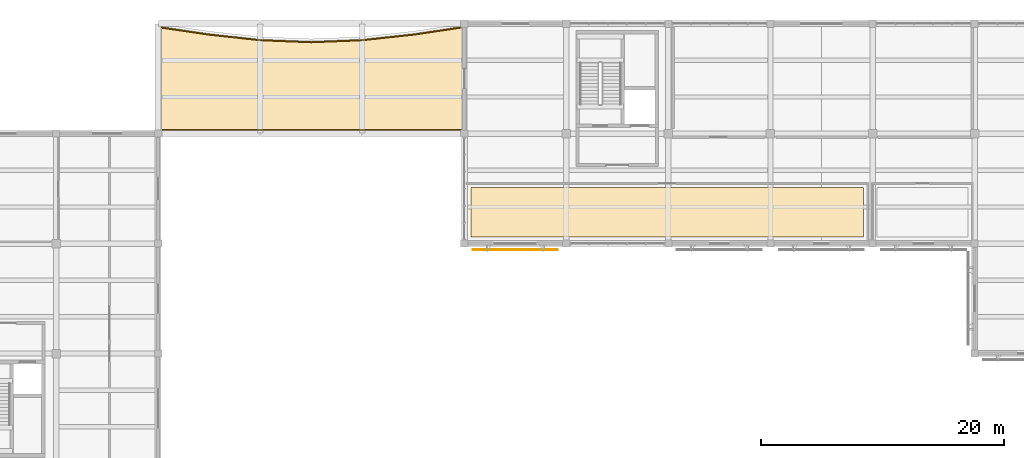
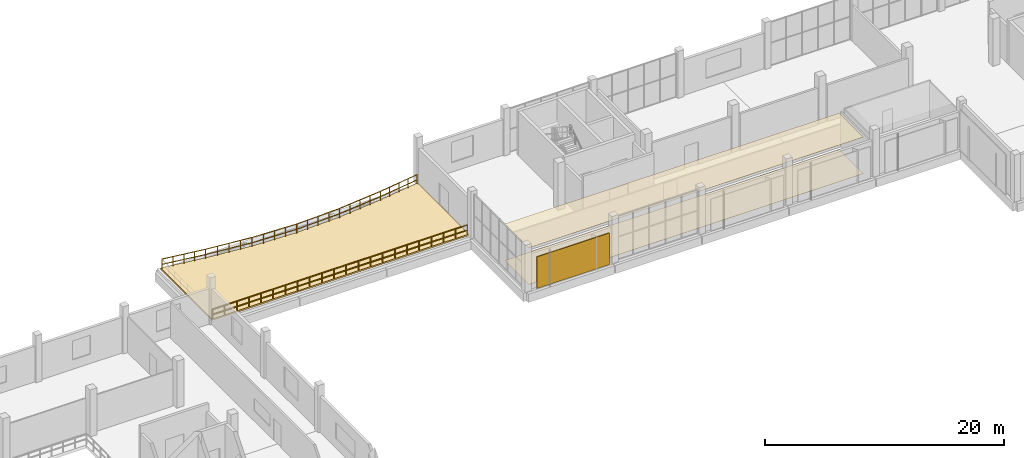
# One storey, part 76 of 80: 7 railings, 3 coverings, 1 shading device.
"""IFC4 building model written with IfcOpenShell, lengths in metres."""

import ifcopenshell
import ifcopenshell.guid

model = None  # the IFC model being written
_history = None  # IfcOwnerHistory: only IFC2X3 demands one
_inside = {}  # id of a spatial element -> (the spatial element, [elements in it])
_under = {}  # id of a project, library or spatial element -> (it, [spatial elements below it])
_declared = {}  # id of a project -> (the project, [libraries it declares])
_typed = {}  # id of a type object -> (the type object, [elements of that type])
_made_of = {}  # id of a material, layer set ... -> (it, [elements and type objects made of it])


def new_model(schema):
    """Start an empty IFC model of exactly this schema.

    Asked for "IFC4X3", IfcOpenShell would pick the latest addendum, in which some entities
    have other attributes; the version numbers below select the first issue.
    IFC2X3 requires an IfcOwnerHistory on every rooted entity: one is made here for all.
    """
    global model, _history
    if schema == "IFC4X3":
        model = ifcopenshell.file(schema_version=(4, 3, 0, 0))
    else:
        model = ifcopenshell.file(schema=schema)
    _inside.clear()
    _under.clear()
    _declared.clear()
    _typed.clear()
    _made_of.clear()
    _history = None
    if model.schema == "IFC2X3":
        org = make("IfcOrganization", Name="unknown")
        user = make(
            "IfcPersonAndOrganization",
            ThePerson=make("IfcPerson", FamilyName="unknown"),
            TheOrganization=org,
        )
        app = make(
            "IfcApplication",
            ApplicationDeveloper=org,
            Version="unknown",
            ApplicationFullName="unknown",
            ApplicationIdentifier="unknown",
        )
        _history = make(
            "IfcOwnerHistory",
            OwningUser=user,
            OwningApplication=app,
            ChangeAction="ADDED",
            CreationDate=0,
        )
    return model


def make(cls, **values):
    """One entity of the class cls with the attributes given. An attribute that is None is left unset."""
    return model.create_entity(
        cls, **{name: value for name, value in values.items() if value is not None}
    )


def rooted(cls, **values):
    """An entity with a GlobalId (a new one), such as an element, a storey or a relation."""
    return make(cls, GlobalId=ifcopenshell.guid.new(), OwnerHistory=_history, **values)


def si_unit(unit_type, name, prefix=None):
    """IfcSIUnit, for example si_unit("LENGTHUNIT", "METRE", prefix="MILLI")."""
    return make("IfcSIUnit", UnitType=unit_type, Prefix=prefix, Name=name)


def assignment(units):
    """IfcUnitAssignment: the units of a project."""
    return None if units is None else make("IfcUnitAssignment", Units=units)


def point(xyz):
    """IfcCartesianPoint."""
    return None if xyz is None else make("IfcCartesianPoint", Coordinates=xyz)


def direction(xyz):
    """IfcDirection."""
    return None if xyz is None else make("IfcDirection", DirectionRatios=xyz)


def frame(location, z_axis=None, x_axis=None):
    """IfcAxis2Placement3D, a coordinate frame: its origin and axes. An axis left out is left unset."""
    return make(
        "IfcAxis2Placement3D",
        Location=point(location),
        Axis=direction(z_axis),
        RefDirection=direction(x_axis),
    )


def frame_2d(location, x_axis=None):
    """IfcAxis2Placement2D, a coordinate frame in the plane: its origin and x axis."""
    return make(
        "IfcAxis2Placement2D", Location=point(location), RefDirection=direction(x_axis)
    )


def origin():
    """The frame at (0, 0, 0) with its axes left unset."""
    return frame((0.0, 0.0, 0.0))


def origin_2d():
    """The frame at (0, 0) in the plane with its x axis left unset."""
    return frame_2d((0.0, 0.0))


def place(relative_to, where):
    """IfcLocalPlacement: puts the frame where relative to a parent placement (None: the world)."""
    return make(
        "IfcLocalPlacement", PlacementRelTo=relative_to, RelativePlacement=where
    )


def context(
    kind, dimensions, precision=None, world=None, true_north=None, identifier=None
):
    """IfcGeometricRepresentationContext, for example the 3D "Model" context."""
    return make(
        "IfcGeometricRepresentationContext",
        ContextIdentifier=identifier,
        ContextType=kind,
        CoordinateSpaceDimension=dimensions,
        Precision=precision,
        WorldCoordinateSystem=world,
        TrueNorth=true_north,
    )


def subcontext(parent, identifier, kind, view, scale=None):
    """IfcGeometricRepresentationSubContext, for example "Body" below "Model"."""
    return make(
        "IfcGeometricRepresentationSubContext",
        ContextIdentifier=identifier,
        ContextType=kind,
        ParentContext=parent,
        TargetScale=scale,
        TargetView=view,
    )


def project(units=None, contexts=None):
    """IfcProject with its units and contexts."""
    return rooted(
        "IfcProject",
        Name="project",
        RepresentationContexts=contexts,
        UnitsInContext=assignment(units),
    )


def spatial(cls, under=None, at=None, **own):
    """A site, building, storey or space (cls), placed at a placement, below another one or the project."""
    s = rooted(cls, ObjectPlacement=at, **own)
    if under is not None:
        _under.setdefault(under.id(), (under, []))[1].append(s)
    return s


def polyline(points):
    """IfcPolyline through the points."""
    return make("IfcPolyline", Points=[point(p) for p in points])


def profile(cls, at=None, kind="AREA", **sizes):
    """A parametric profile (cls). Its sizes go by their IFC names, for example OverallWidth=200.0."""
    return make(cls, ProfileType=kind, Position=at, **sizes)


def rectangle(**sizes):
    """IfcRectangleProfileDef."""
    return profile("IfcRectangleProfileDef", **sizes)


def circle(**sizes):
    """IfcCircleProfileDef."""
    return profile("IfcCircleProfileDef", **sizes)


def outline(outer, holes=None, kind="AREA"):
    """IfcArbitraryClosedProfileDef: a profile drawn as a closed curve; with holes, ...WithVoids."""
    if holes is None:
        return make("IfcArbitraryClosedProfileDef", ProfileType=kind, OuterCurve=outer)
    return make(
        "IfcArbitraryProfileDefWithVoids",
        ProfileType=kind,
        OuterCurve=outer,
        InnerCurves=holes,
    )


def extrude(swept, where, along, depth):
    """IfcExtrudedAreaSolid: the profile swept, set in the frame where, extruded along a direction by depth."""
    return make(
        "IfcExtrudedAreaSolid",
        SweptArea=swept,
        Position=where,
        ExtrudedDirection=direction(along),
        Depth=depth,
    )


def shape(context_of_items, identifier, shape_type, items):
    """IfcShapeRepresentation: the items that make up one representation, for example the "Body"."""
    return make(
        "IfcShapeRepresentation",
        ContextOfItems=context_of_items,
        RepresentationIdentifier=identifier,
        RepresentationType=shape_type,
        Items=items,
    )


def material(Name=None, Category=None):
    """IfcMaterial."""
    return make("IfcMaterial", Name=Name, Category=Category)


def layer(
    of_material, thickness, ventilated=None, Name=None, Category=None, Priority=None
):
    """IfcMaterialLayer: one layer of a wall or slab, of a material (None: an air gap)."""
    return make(
        "IfcMaterialLayer",
        Material=of_material,
        LayerThickness=thickness,
        IsVentilated=ventilated,
        Name=Name,
        Category=Category,
        Priority=Priority,
    )


def layer_set(layers, Name=None):
    """IfcMaterialLayerSet."""
    return make("IfcMaterialLayerSet", MaterialLayers=layers, LayerSetName=Name)


def made_of(thing, what):
    """Note that an element or type object is made of a material, layer set ...; save() writes the relation."""
    if what is not None:
        _made_of.setdefault(what.id(), (what, []))[1].append(thing)
    return thing


def type_object(cls, material=None, **own):
    """A type object (cls), such as IfcWallType, which elements share."""
    return made_of(rooted(cls, **own), material)


def element(
    cls,
    number,
    at=None,
    inside=None,
    cuts=None,
    type_object=None,
    material=None,
    context=None,
    identifier="Body",
    shape_type=None,
    held_by="IfcProductDefinitionShape",
    body=None,
    shapes=None,
    **own,
):
    """One element of the class cls, such as IfcWall. Its Tag is "e" and its number.

    at: its placement. inside: the storey or other place that contains it. cuts: it is an
    opening in that element (IfcRelVoidsElement). A single representation is given by context,
    identifier, shape_type and body (its items); several are given by shapes. held_by: the class
    of the entity that holds the representations. save() writes the other relations.
    """
    e = rooted(cls, Tag="e%d" % number, ObjectPlacement=at, **own)
    if body is not None:
        shapes = [shape(context, identifier, shape_type, body)]
    if shapes is not None:
        e.Representation = make(held_by, Representations=shapes)
    if inside is not None:
        _inside.setdefault(inside.id(), (inside, []))[1].append(e)
    if cuts is not None:
        rooted(
            "IfcRelVoidsElement", RelatingBuildingElement=cuts, RelatedOpeningElement=e
        )
    if type_object is not None:
        _typed.setdefault(type_object.id(), (type_object, []))[1].append(e)
    return made_of(e, material)


def aggregate(whole, parts):
    """IfcRelAggregates: a whole, such as a stair, and the parts it consists of."""
    return rooted("IfcRelAggregates", RelatingObject=whole, RelatedObjects=parts)


def save(model, path):
    """Write the relations noted so far, then the file.

    IfcRelAggregates (storeys below a building ...), IfcRelContainedInSpatialStructure (elements
    in a storey), IfcRelDefinesByType, IfcRelAssociatesMaterial and IfcRelDeclares: one each for
    every whole, place, type object, material and project.
    """
    for whole, parts in _under.values():
        aggregate(whole, parts)
    for where, things in _inside.values():
        rooted(
            "IfcRelContainedInSpatialStructure",
            RelatedElements=things,
            RelatingStructure=where,
        )
    for kind, things in _typed.values():
        rooted("IfcRelDefinesByType", RelatedObjects=things, RelatingType=kind)
    for what, things in _made_of.values():
        rooted("IfcRelAssociatesMaterial", RelatedObjects=things, RelatingMaterial=what)
    for by, libraries in _declared.values():
        rooted("IfcRelDeclares", RelatingContext=by, RelatedDefinitions=libraries)
    model.write(path)


model = new_model("IFC4")

# Units and contexts
model_context = context("Model", 3, precision=1e-05, world=origin(), true_north=direction((0.0, 1.0)))
body_context = subcontext(model_context, "Body", "Model", "MODEL_VIEW")
ifc_project = project(units=[si_unit("LENGTHUNIT", "METRE"), si_unit("AREAUNIT", "SQUARE_METRE"), si_unit("VOLUMEUNIT", "CUBIC_METRE"), si_unit("PLANEANGLEUNIT", "RADIAN"), si_unit("MASSUNIT", "GRAM", prefix="KILO")], contexts=[model_context])

# Site, building, storey
site_placement = place(None, origin())
site = spatial("IfcSite", under=ifc_project, at=site_placement, CompositionType="ELEMENT")
building_placement = place(site_placement, origin())
building = spatial("IfcBuilding", under=site, at=building_placement, Name="Khurvash Pelagic Aquarium", CompositionType="ELEMENT")
storey_placement = place(building_placement, frame((0.0, 0.0, 10.800048828125)))
storey = spatial("IfcBuildingStorey", under=building, at=storey_placement, Name="L02", CompositionType="ELEMENT", Elevation=10.800048828125)

# Railings
ifc_material_1 = material(Name="Laminated glass and stainless steel 316", Category="steel")
railing_type = type_object("IfcRailingType", Name="BL-01", PredefinedType="BALUSTRADE", material=ifc_material_1)
railing_1_placement = place(storey_placement, frame((33.8798828125, 101.824951171875, 0.0)))
element("IfcRailing", 1, at=railing_1_placement, inside=storey, type_object=railing_type, Name="L02 Planted Terrace Perimeter Balustrade BL-01 0029", PredefinedType="BALUSTRADE", context=body_context, shape_type="SweptSolid", body=[
    extrude(circle(Radius=0.02392578125, at=origin_2d()), frame((0.0, 0.0, 1.076171875), z_axis=(0.989121419435, -0.147101385495, 0.0), x_axis=(0.147101385495, 0.989121419435, 0.0)), (0.0, 0.0, 1.0), 3.921875),
    extrude(circle(Radius=0.02392578125, at=origin_2d()), frame((0.0, 0.0, 0.5380859375), z_axis=(0.989121419435, -0.147101385495, 0.0), x_axis=(0.147101385495, 0.989121419435, 0.0)), (0.0, 0.0, 1.0), 3.921875),
    extrude(circle(Radius=0.02099609375, at=origin_2d()), origin(), (0.0, 0.0, 1.0), 1.052001953125),
    extrude(circle(Radius=0.02099609375, at=origin_2d()), frame((0.9697265625, -0.144287109375, 0.0)), (0.0, 0.0, 1.0), 1.052001953125),
    extrude(circle(Radius=0.02099609375, at=origin_2d()), frame((1.939453125, -0.28857421875, 0.0)), (0.0, 0.0, 1.0), 1.052001953125),
    extrude(circle(Radius=0.02099609375, at=origin_2d()), frame((2.909423828125, -0.4326171875, 0.0)), (0.0, 0.0, 1.0), 1.052001953125),
    extrude(circle(Radius=0.02099609375, at=origin_2d()), frame((3.879150390625, -0.576904296875, 0.0)), (0.0, 0.0, 1.0), 1.052001953125),
])
railing_2_placement = place(storey_placement, frame((37.77001953125, 101.2470703125, 0.0)))
element("IfcRailing", 2, at=railing_2_placement, inside=storey, type_object=railing_type, Name="L02 Planted Terrace Perimeter Balustrade BL-01 0030", PredefinedType="BALUSTRADE", context=body_context, shape_type="SweptSolid", body=[
    extrude(circle(Radius=0.02392578125, at=origin_2d()), frame((0.0, 0.0, 1.076171875), z_axis=(0.994106480102, -0.108408054216, 0.0), x_axis=(0.108408054216, 0.994106480102, 0.0)), (0.0, 0.0, 1.0), 4.224853515625),
    extrude(circle(Radius=0.02392578125, at=origin_2d()), frame((0.0, 0.0, 0.5380859375), z_axis=(0.994106480102, -0.108408054216, 0.0), x_axis=(0.108408054216, 0.994106480102, 0.0)), (0.0, 0.0, 1.0), 4.224853515625),
    extrude(circle(Radius=0.02099609375, at=origin_2d()), origin(), (0.0, 0.0, 1.0), 1.052001953125),
    extrude(circle(Radius=0.02099609375, at=origin_2d()), frame((1.050048828125, -0.114501953125, 0.0)), (0.0, 0.0, 1.0), 1.052001953125),
    extrude(circle(Radius=0.02099609375, at=origin_2d()), frame((2.10009765625, -0.22900390625, 0.0)), (0.0, 0.0, 1.0), 1.052001953125),
    extrude(circle(Radius=0.02099609375, at=origin_2d()), frame((3.14990234375, -0.343505859375, 0.0)), (0.0, 0.0, 1.0), 1.052001953125),
    extrude(circle(Radius=0.02099609375, at=origin_2d()), frame((4.199951171875, -0.4580078125, 0.0)), (0.0, 0.0, 1.0), 1.052001953125),
])
railing_3_placement = place(storey_placement, frame((41.989013671875, 100.787109375, 0.0)))
element("IfcRailing", 3, at=railing_3_placement, inside=storey, type_object=railing_type, Name="L02 Planted Terrace Perimeter Balustrade BL-01 0031", PredefinedType="BALUSTRADE", context=body_context, shape_type="SweptSolid", body=[
    extrude(circle(Radius=0.02392578125, at=origin_2d()), frame((0.0, 0.0, 1.076171875), z_axis=(0.999210487027, -0.039729115452, 0.0), x_axis=(0.039729115452, 0.999210487027, 0.0)), (0.0, 0.0, 1.0), 4.203369140625),
    extrude(circle(Radius=0.02392578125, at=origin_2d()), frame((0.0, 0.0, 0.5380859375), z_axis=(0.999210487027, -0.039729115452, 0.0), x_axis=(0.039729115452, 0.999210487027, 0.0)), (0.0, 0.0, 1.0), 4.203369140625),
    extrude(circle(Radius=0.02099609375, at=origin_2d()), origin(), (0.0, 0.0, 1.0), 1.052001953125),
    extrude(circle(Radius=0.02099609375, at=origin_2d()), frame((1.050048828125, -0.041748046875, 0.0)), (0.0, 0.0, 1.0), 1.052001953125),
    extrude(circle(Radius=0.02099609375, at=origin_2d()), frame((2.10009765625, -0.08349609375, 0.0)), (0.0, 0.0, 1.0), 1.052001953125),
    extrude(circle(Radius=0.02099609375, at=origin_2d()), frame((3.14990234375, -0.125244140625, 0.0)), (0.0, 0.0, 1.0), 1.052001953125),
    extrude(circle(Radius=0.02099609375, at=origin_2d()), frame((4.199951171875, -0.1669921875, 0.0)), (0.0, 0.0, 1.0), 1.052001953125),
])
railing_4_placement = place(storey_placement, frame((46.2109375, 100.6201171875, 0.0)))
element("IfcRailing", 4, at=railing_4_placement, inside=storey, type_object=railing_type, Name="L02 Planted Terrace Perimeter Balustrade BL-01 0032", PredefinedType="BALUSTRADE", context=body_context, shape_type="SweptSolid", body=[
    extrude(circle(Radius=0.02392578125, at=origin_2d()), frame((0.0, 0.0, 1.076171875), z_axis=(0.999210487027, 0.039729115452, 0.0), x_axis=(-0.039729115452, 0.999210487027, 0.0)), (0.0, 0.0, 1.0), 4.203369140625),
    extrude(circle(Radius=0.02392578125, at=origin_2d()), frame((0.0, 0.0, 0.5380859375), z_axis=(0.999210487027, 0.039729115452, 0.0), x_axis=(-0.039729115452, 0.999210487027, 0.0)), (0.0, 0.0, 1.0), 4.203369140625),
    extrude(circle(Radius=0.02099609375, at=origin_2d()), origin(), (0.0, 0.0, 1.0), 1.052001953125),
    extrude(circle(Radius=0.02099609375, at=origin_2d()), frame((1.050048828125, 0.041748046875, 0.0)), (0.0, 0.0, 1.0), 1.052001953125),
    extrude(circle(Radius=0.02099609375, at=origin_2d()), frame((2.10009765625, 0.08349609375, 0.0)), (0.0, 0.0, 1.0), 1.052001953125),
    extrude(circle(Radius=0.02099609375, at=origin_2d()), frame((3.14990234375, 0.125244140625, 0.0)), (0.0, 0.0, 1.0), 1.052001953125),
    extrude(circle(Radius=0.02099609375, at=origin_2d()), frame((4.199951171875, 0.1669921875, 0.0)), (0.0, 0.0, 1.0), 1.052001953125),
])
railing_5_placement = place(storey_placement, frame((50.429931640625, 100.7890625, 0.0)))
element("IfcRailing", 5, at=railing_5_placement, inside=storey, type_object=railing_type, Name="L02 Planted Terrace Perimeter Balustrade BL-01 0033", PredefinedType="BALUSTRADE", context=body_context, shape_type="SweptSolid", body=[
    extrude(circle(Radius=0.02392578125, at=origin_2d()), frame((0.0, 0.0, 1.076171875), z_axis=(0.994106480102, 0.108408054216, 0.0), x_axis=(-0.108408054216, 0.994106480102, 0.0)), (0.0, 0.0, 1.0), 4.224853515625),
    extrude(circle(Radius=0.02392578125, at=origin_2d()), frame((0.0, 0.0, 0.5380859375), z_axis=(0.994106480102, 0.108408054216, 0.0), x_axis=(-0.108408054216, 0.994106480102, 0.0)), (0.0, 0.0, 1.0), 4.224853515625),
    extrude(circle(Radius=0.02099609375, at=origin_2d()), origin(), (0.0, 0.0, 1.0), 1.052001953125),
    extrude(circle(Radius=0.02099609375, at=origin_2d()), frame((1.050048828125, 0.114501953125, 0.0)), (0.0, 0.0, 1.0), 1.052001953125),
    extrude(circle(Radius=0.02099609375, at=origin_2d()), frame((2.10009765625, 0.22900390625, 0.0)), (0.0, 0.0, 1.0), 1.052001953125),
    extrude(circle(Radius=0.02099609375, at=origin_2d()), frame((3.14990234375, 0.343505859375, 0.0)), (0.0, 0.0, 1.0), 1.052001953125),
    extrude(circle(Radius=0.02099609375, at=origin_2d()), frame((4.199951171875, 0.4580078125, 0.0)), (0.0, 0.0, 1.0), 1.052001953125),
])
railing_6_placement = place(storey_placement, frame((54.64111328125, 101.248046875, 0.0)))
element("IfcRailing", 6, at=railing_6_placement, inside=storey, type_object=railing_type, Name="L02 Planted Terrace Perimeter Balustrade BL-01 0034", PredefinedType="BALUSTRADE", context=body_context, shape_type="SweptSolid", body=[
    extrude(circle(Radius=0.02392578125, at=origin_2d()), frame((0.0, 0.0, 1.076171875), z_axis=(0.989120072252, 0.147110443777, 0.0), x_axis=(-0.147110443777, 0.989120072252, 0.0)), (0.0, 0.0, 1.0), 3.921630859375),
    extrude(circle(Radius=0.02392578125, at=origin_2d()), frame((0.0, 0.0, 0.5380859375), z_axis=(0.989120072252, 0.147110443777, 0.0), x_axis=(-0.147110443777, 0.989120072252, 0.0)), (0.0, 0.0, 1.0), 3.921630859375),
    extrude(circle(Radius=0.02099609375, at=origin_2d()), origin(), (0.0, 0.0, 1.0), 1.052001953125),
    extrude(circle(Radius=0.02099609375, at=origin_2d()), frame((0.9697265625, 0.144287109375, 0.0)), (0.0, 0.0, 1.0), 1.052001953125),
    extrude(circle(Radius=0.02099609375, at=origin_2d()), frame((1.939453125, 0.28857421875, 0.0)), (0.0, 0.0, 1.0), 1.052001953125),
    extrude(circle(Radius=0.02099609375, at=origin_2d()), frame((2.9091796875, 0.4326171875, 0.0)), (0.0, 0.0, 1.0), 1.052001953125),
    extrude(circle(Radius=0.02099609375, at=origin_2d()), frame((3.87890625, 0.576904296875, 0.0)), (0.0, 0.0, 1.0), 1.052001953125),
])
railing_7_placement = place(storey_placement, frame((58.52001953125, 93.3798828125, 0.0)))
element("IfcRailing", 7, at=railing_7_placement, inside=storey, type_object=railing_type, Name="L02 Planted Terrace Perimeter Balustrade BL-01 0035", PredefinedType="BALUSTRADE", context=body_context, shape_type="SweptSolid", body=[
    extrude(circle(Radius=0.02392578125, at=origin_2d()), frame((0.0, 0.0, 1.076171875), z_axis=(-1.0, 0.0, 0.0), x_axis=(0.0, -1.0, 0.0)), (0.0, 0.0, 1.0), 24.64013671875),
    extrude(circle(Radius=0.02392578125, at=origin_2d()), frame((0.0, 0.0, 0.5380859375), z_axis=(-1.0, 0.0, 0.0), x_axis=(0.0, -1.0, 0.0)), (0.0, 0.0, 1.0), 24.64013671875),
    extrude(circle(Radius=0.02099609375, at=origin_2d()), origin(), (0.0, 0.0, 1.0), 1.052001953125),
    extrude(circle(Radius=0.02099609375, at=origin_2d()), frame((-1.17333984375, 0.0, 0.0)), (0.0, 0.0, 1.0), 1.052001953125),
    extrude(circle(Radius=0.02099609375, at=origin_2d()), frame((-2.3466796875, 0.0, 0.0)), (0.0, 0.0, 1.0), 1.052001953125),
    extrude(circle(Radius=0.02099609375, at=origin_2d()), frame((-3.52001953125, 0.0, 0.0)), (0.0, 0.0, 1.0), 1.052001953125),
    extrude(circle(Radius=0.02099609375, at=origin_2d()), frame((-4.693359375, 0.0, 0.0)), (0.0, 0.0, 1.0), 1.052001953125),
    extrude(circle(Radius=0.02099609375, at=origin_2d()), frame((-5.86669921875, 0.0, 0.0)), (0.0, 0.0, 1.0), 1.052001953125),
    extrude(circle(Radius=0.02099609375, at=origin_2d()), frame((-7.0400390625, 0.0, 0.0)), (0.0, 0.0, 1.0), 1.052001953125),
    extrude(circle(Radius=0.02099609375, at=origin_2d()), frame((-8.21337890625, 0.0, 0.0)), (0.0, 0.0, 1.0), 1.052001953125),
    extrude(circle(Radius=0.02099609375, at=origin_2d()), frame((-9.38671875, 0.0, 0.0)), (0.0, 0.0, 1.0), 1.052001953125),
    extrude(circle(Radius=0.02099609375, at=origin_2d()), frame((-10.56005859375, 0.0, 0.0)), (0.0, 0.0, 1.0), 1.052001953125),
    extrude(circle(Radius=0.02099609375, at=origin_2d()), frame((-11.7333984375, 0.0, 0.0)), (0.0, 0.0, 1.0), 1.052001953125),
    extrude(circle(Radius=0.02099609375, at=origin_2d()), frame((-12.90673828125, 0.0, 0.0)), (0.0, 0.0, 1.0), 1.052001953125),
    extrude(circle(Radius=0.02099609375, at=origin_2d()), frame((-14.080078125, 0.0, 0.0)), (0.0, 0.0, 1.0), 1.052001953125),
    extrude(circle(Radius=0.02099609375, at=origin_2d()), frame((-15.25341796875, 0.0, 0.0)), (0.0, 0.0, 1.0), 1.052001953125),
    extrude(circle(Radius=0.02099609375, at=origin_2d()), frame((-16.4267578125, 0.0, 0.0)), (0.0, 0.0, 1.0), 1.052001953125),
    extrude(circle(Radius=0.02099609375, at=origin_2d()), frame((-17.60009765625, 0.0, 0.0)), (0.0, 0.0, 1.0), 1.052001953125),
    extrude(circle(Radius=0.02099609375, at=origin_2d()), frame((-18.7734375, 0.0, 0.0)), (0.0, 0.0, 1.0), 1.052001953125),
    extrude(circle(Radius=0.02099609375, at=origin_2d()), frame((-19.94677734375, 0.0, 0.0)), (0.0, 0.0, 1.0), 1.052001953125),
    extrude(circle(Radius=0.02099609375, at=origin_2d()), frame((-21.1201171875, 0.0, 0.0)), (0.0, 0.0, 1.0), 1.052001953125),
    extrude(circle(Radius=0.02099609375, at=origin_2d()), frame((-22.29345703125, 0.0, 0.0)), (0.0, 0.0, 1.0), 1.052001953125),
    extrude(circle(Radius=0.02099609375, at=origin_2d()), frame((-23.466796875, 0.0, 0.0)), (0.0, 0.0, 1.0), 1.052001953125),
    extrude(circle(Radius=0.02099609375, at=origin_2d()), frame((-24.64013671875, 0.0, 0.0)), (0.0, 0.0, 1.0), 1.052001953125),
])

# Coverings
ifc_material_2 = material(Name="Moisture-resistant acoustic mineral-fibre ceiling", Category="finish")
ifc_layer_1 = layer(ifc_material_2, 0.02490234375)
ifc_layer_set_1 = layer_set([ifc_layer_1], Name="Moisture-resistant acoustic mineral-fibre ceiling")
covering_type_1 = type_object("IfcCoveringType", Name="CV-CLG", PredefinedType="CEILING", material=ifc_layer_set_1)
covering_1_placement = place(storey_placement, frame((0.0, 0.0, 3.724853515625)))
element("IfcCovering", 8, at=covering_1_placement, inside=storey, type_object=covering_type_1, Name="L02 Aquatic Veterinary Surgery and Endoscopy Suspended Acoustic Ceiling", PredefinedType="CEILING", context=body_context, shape_type="SweptSolid", body=[
    extrude(outline(polyline([(91.64990234375, 84.60009765625), (91.64990234375, 88.64990234375), (59.35009765625, 88.64990234375), (59.35009765625, 84.60009765625), (91.64990234375, 84.60009765625)])), origin(), (0.0, 0.0, 1.0), 0.025146484375),
])
ifc_material_3 = material(Name="Slip-resistant terrazzo and epoxy resin flooring", Category="finish")
ifc_layer_2 = layer(ifc_material_3, 0.02001953125)
ifc_layer_set_2 = layer_set([ifc_layer_2], Name="Slip-resistant terrazzo and epoxy resin flooring")
covering_type_2 = type_object("IfcCoveringType", Name="CV-FLR", PredefinedType="FLOORING", material=ifc_layer_set_2)
covering_2_placement = place(storey_placement, origin())
element("IfcCovering", 9, at=covering_2_placement, inside=storey, type_object=covering_type_2, Name="L02 Aquatic Veterinary Surgery and Endoscopy Terrazzo Floor Finish", PredefinedType="FLOORING", context=body_context, shape_type="SweptSolid", body=[
    extrude(outline(polyline([(91.64990234375, 84.60009765625), (91.64990234375, 88.64990234375), (59.35009765625, 88.64990234375), (59.35009765625, 84.60009765625), (91.64990234375, 84.60009765625)])), origin(), (0.0, 0.0, 1.0), 0.02001953125),
])
ifc_material_4 = material(Name="Vegetated monsoon-retention substrate and drainage mat", Category="earth")
ifc_layer_3 = layer(ifc_material_4, 0.14990234375)
ifc_layer_set_3 = layer_set([ifc_layer_3], Name="Vegetated monsoon-retention substrate and drainage mat")
covering_type_3 = type_object("IfcCoveringType", Name="CV-RF02", PredefinedType="ROOFING", material=ifc_layer_set_3)
covering_3_placement = place(storey_placement, origin())
element("IfcCovering", 10, at=covering_3_placement, inside=storey, type_object=covering_type_3, Name="L02 Monsoon Retention Terrace Substrate TERR_L02_NW", PredefinedType="ROOFING", context=body_context, shape_type="SweptSolid", body=[
    extrude(outline(polyline([(33.800048828125, 93.300048828125), (33.800048828125, 101.91796875), (37.77099609375, 101.326904296875), (37.778076171875, 101.325927734375), (41.97802734375, 100.867919921875), (41.991943359375, 100.866943359375), (46.19189453125, 100.699951171875), (46.2080078125, 100.699951171875), (50.407958984375, 100.866943359375), (50.422119140625, 100.867919921875), (54.6220703125, 101.325927734375), (54.62890625, 101.326904296875), (58.60009765625, 101.91796875), (58.60009765625, 93.300048828125), (33.800048828125, 93.300048828125)])), origin(), (0.0, 0.0, 1.0), 0.14990234375),
])

# Shading device
ifc_material_5 = material(Name="Perforated anodised aluminium AW-5005", Category="aluminium")
ifc_layer_4 = layer(ifc_material_5, 0.06005859375)
ifc_layer_set_4 = layer_set([ifc_layer_4], Name="Perforated anodised aluminium AW-5005")
shading_device_type = type_object("IfcShadingDeviceType", Name="SH-JAL", PredefinedType="JALOUSIE", material=ifc_layer_set_4)
shading_device_placement = place(storey_placement, frame((63.0, 83.5400390625, 0.199951171875), z_axis=(0.0, 0.0, 1.0), x_axis=(1.0, 0.0, 0.0)))
element("IfcShadingDevice", 11, at=shading_device_placement, inside=storey, type_object=shading_device_type, Name="L02 Perforated Aluminium Jali Screen SH-JAL 0017", PredefinedType="JALOUSIE", context=body_context, shape_type="SweptSolid", body=[
    extrude(rectangle(XDim=6.989990234375, YDim=0.06005859375, at=origin_2d()), origin(), (0.0, 0.0, 1.0), 3.22998046875),
])

save(model, "model.ifc")
